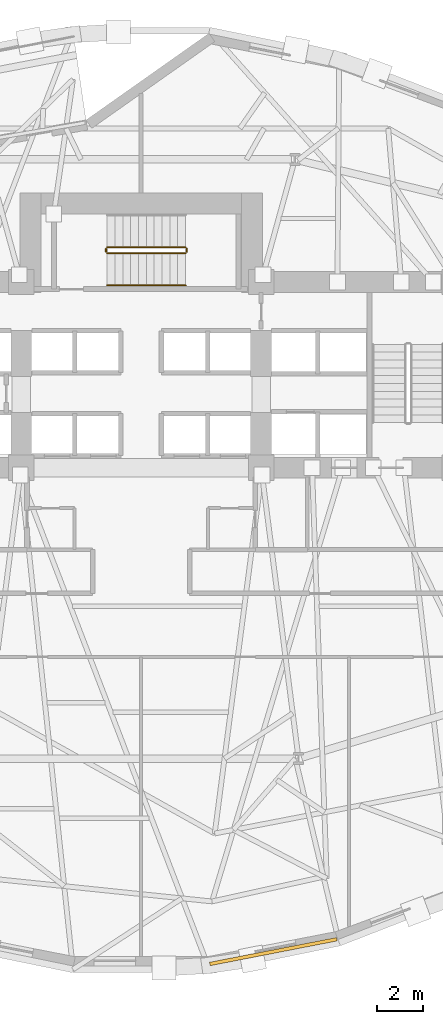
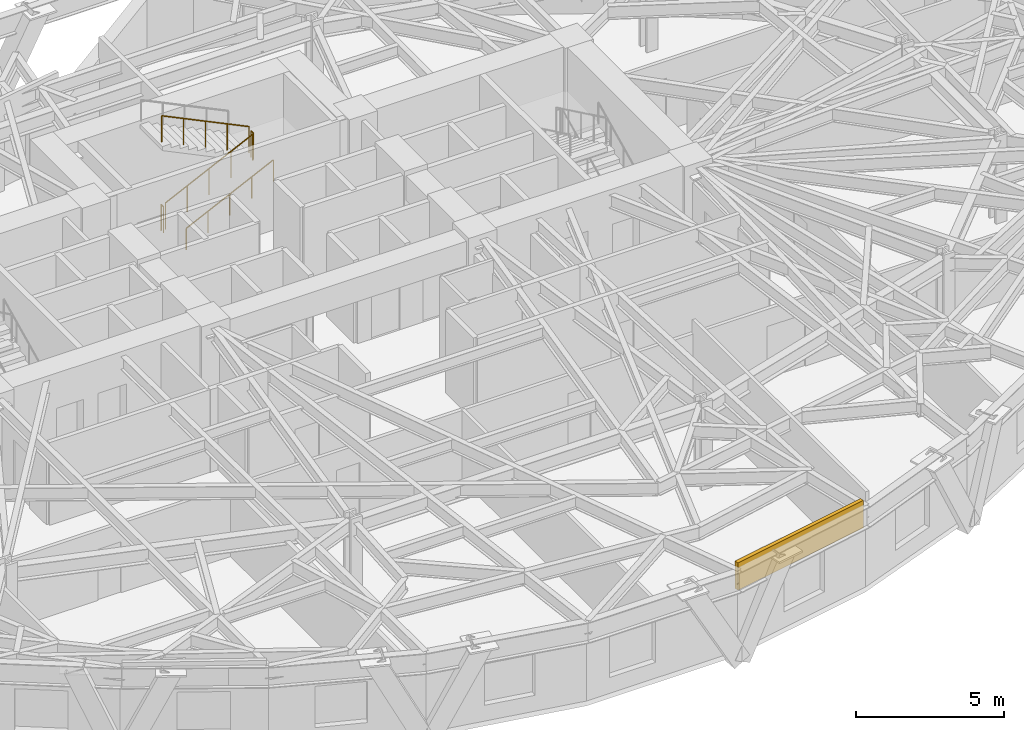
# One storey, part 15 of 17: 5 railings, 1 covering.
"""IFC4 building model written with IfcOpenShell, lengths in metres."""

from ifc_helpers import new_model, si_unit, direction, frame, origin, origin_2d, place, context, subcontext, project, spatial, rectangle, circle, extrude, material, layer, layer_set, type_object, element, save


model = new_model("IFC4")

# Units and contexts
model_context = context("Model", 3, precision=1e-05, world=origin(), true_north=direction((0.0, 1.0)))
body_context = subcontext(model_context, "Body", "Model", "MODEL_VIEW")
ifc_project = project(units=[si_unit("LENGTHUNIT", "METRE"), si_unit("AREAUNIT", "SQUARE_METRE"), si_unit("VOLUMEUNIT", "CUBIC_METRE"), si_unit("PLANEANGLEUNIT", "RADIAN"), si_unit("MASSUNIT", "GRAM", prefix="KILO")], contexts=[model_context])

# Site, building, storey
site_placement = place(None, origin())
site = spatial("IfcSite", under=ifc_project, at=site_placement, CompositionType="ELEMENT")
building_placement = place(site_placement, origin())
building = spatial("IfcBuilding", under=site, at=building_placement, Name="Keldmark Tower", CompositionType="ELEMENT")
storey_placement = place(building_placement, frame((0.0, 0.0, 70.199951171875)))
storey = spatial("IfcBuildingStorey", under=building, at=storey_placement, Name="L18", CompositionType="ELEMENT", Elevation=70.199951171875)

# Covering
ifc_material_1 = material(Name="Honed Kasota Buff Dolomitic Limestone", Category="masonry")
ifc_layer = layer(ifc_material_1, 0.074951171875)
ifc_layer_set = layer_set([ifc_layer], Name="Honed Kasota Buff Dolomitic Limestone")
covering_type = type_object("IfcCoveringType", Name="Kasota Buff Limestone Spandrel Cladding Band", PredefinedType="CLADDING", material=ifc_layer_set)
covering_placement = place(storey_placement, frame((5.728515625, -19.5751953125, 2.453125), z_axis=(0.0, 0.0, 1.0), x_axis=(0.981533819369, 0.191288686112, 0.0)))
element("IfcCovering", 1, at=covering_placement, inside=storey, type_object=covering_type, Name="L18 Kasota Limestone Spandrel Band 25", PredefinedType="CLADDING", context=body_context, shape_type="SweptSolid", body=[
    extrude(rectangle(XDim=5.607666015625, YDim=0.14990234375, at=origin_2d()), origin(), (0.0, 0.0, 1.0), 1.126953125),
])

# Railings
ifc_material_2 = material(Name="Painted Steel ASTM A500 Grade B", Category="steel")
railing_type_1 = type_object("IfcRailingType", Name="Painted Steel Stair Well Guard 1100 mm", PredefinedType="GUARDRAIL", material=ifc_material_2)
railing_1_placement = place(storey_placement, frame((-1.47509765625, 10.699951171875, 0.16357421875)))
element("IfcRailing", 2, at=railing_1_placement, inside=storey, type_object=railing_type_1, Name="L18 ST3 stair guard 1", PredefinedType="GUARDRAIL", context=body_context, shape_type="SweptSolid", body=[
    extrude(circle(Radius=0.02392578125, at=origin_2d()), frame((0.0, 0.0, 1.076171875), z_axis=(0.901067223353, 0.0, 0.433679442675), x_axis=(0.0, 1.0, 0.0)), (0.0, 0.0, 1.0), 3.7734375),
    extrude(circle(Radius=0.02099609375, at=origin_2d()), origin(), (0.0, 0.0, 1.0), 1.052001953125),
    extrude(circle(Radius=0.02099609375, at=origin_2d()), frame((0.85009765625, 0.0, 0.4091796875)), (0.0, 0.0, 1.0), 1.052001953125),
    extrude(circle(Radius=0.02099609375, at=origin_2d()), frame((1.7001953125, 0.0, 0.818359375)), (0.0, 0.0, 1.0), 1.052001953125),
    extrude(circle(Radius=0.02099609375, at=origin_2d()), frame((2.550048828125, 0.0, 1.227294921875)), (0.0, 0.0, 1.0), 1.052001953125),
    extrude(circle(Radius=0.02099609375, at=origin_2d()), frame((3.400146484375, 0.0, 1.636474609375)), (0.0, 0.0, 1.0), 1.052001953125),
])
railing_2_placement = place(storey_placement, frame((1.97509765625, 10.75, 1.800048828125)))
element("IfcRailing", 3, at=railing_2_placement, inside=storey, type_object=railing_type_1, Name="L18 ST3 stair guard 2", PredefinedType="GUARDRAIL", context=body_context, shape_type="SweptSolid", body=[
    extrude(circle(Radius=0.02392578125, at=origin_2d()), frame((0.0, 0.0, 1.076171875), z_axis=(0.0, 1.0, 0.0), x_axis=(-1.0, 0.0, 0.0)), (0.0, 0.0, 1.0), 0.14990234375),
    extrude(circle(Radius=0.02099609375, at=origin_2d()), origin(), (0.0, 0.0, 1.0), 1.052001953125),
    extrude(circle(Radius=0.02099609375, at=origin_2d()), frame((0.0, 0.14990234375, 0.0)), (0.0, 0.0, 1.0), 1.052001953125),
])
railing_3_placement = place(storey_placement, frame((1.925048828125, 10.949951171875, 1.963623046875)))
element("IfcRailing", 4, at=railing_3_placement, inside=storey, type_object=railing_type_1, Name="L18 ST3 stair guard 3", PredefinedType="GUARDRAIL", context=body_context, shape_type="SweptSolid", body=[
    extrude(circle(Radius=0.02392578125, at=origin_2d()), frame((0.0, 0.0, 1.076171875), z_axis=(-0.901067223353, 0.0, 0.433679442675), x_axis=(0.0, -1.0, 0.0)), (0.0, 0.0, 1.0), 3.7734375),
    extrude(circle(Radius=0.02099609375, at=origin_2d()), origin(), (0.0, 0.0, 1.0), 1.052001953125),
    extrude(circle(Radius=0.02099609375, at=origin_2d()), frame((-0.85009765625, 0.0, 0.4091796875)), (0.0, 0.0, 1.0), 1.052001953125),
    extrude(circle(Radius=0.02099609375, at=origin_2d()), frame((-1.7001953125, 0.0, 0.818359375)), (0.0, 0.0, 1.0), 1.052001953125),
    extrude(circle(Radius=0.02099609375, at=origin_2d()), frame((-2.550048828125, 0.0, 1.227294921875)), (0.0, 0.0, 1.0), 1.052001953125),
    extrude(circle(Radius=0.02099609375, at=origin_2d()), frame((-3.400146484375, 0.0, 1.636474609375)), (0.0, 0.0, 1.0), 1.052001953125),
])
railing_4_placement = place(storey_placement, frame((-1.52490234375, 10.75, 0.0)))
element("IfcRailing", 5, at=railing_4_placement, inside=storey, type_object=railing_type_1, Name="L18 ST3 stair guard 4", PredefinedType="GUARDRAIL", context=body_context, shape_type="SweptSolid", body=[
    extrude(circle(Radius=0.02392578125, at=origin_2d()), frame((0.0, 0.0, 1.076171875), z_axis=(0.0, 1.0, 0.0), x_axis=(-1.0, 0.0, 0.0)), (0.0, 0.0, 1.0), 0.14990234375),
    extrude(circle(Radius=0.02099609375, at=origin_2d()), origin(), (0.0, 0.0, 1.0), 1.052001953125),
    extrude(circle(Radius=0.02099609375, at=origin_2d()), frame((0.0, 0.14990234375, 0.0)), (0.0, 0.0, 1.0), 1.052001953125),
])
ifc_material_3 = material(Name="Stainless Steel AISI 316L", Category="steel")
railing_type_2 = type_object("IfcRailingType", Name="Stainless Steel Stair Handrail 900 mm", PredefinedType="HANDRAIL", material=ifc_material_3)
railing_5_placement = place(storey_placement, frame((-1.47509765625, 9.300048828125, 0.16357421875)))
element("IfcRailing", 6, at=railing_5_placement, inside=storey, type_object=railing_type_2, Name="L18 ST3 stair handrail 1", PredefinedType="HANDRAIL", context=body_context, shape_type="SweptSolid", body=[
    extrude(circle(Radius=0.02392578125, at=origin_2d()), frame((0.0, 0.0, 0.8759765625), z_axis=(0.901067223353, 0.0, 0.433679442675), x_axis=(0.0, 1.0, 0.0)), (0.0, 0.0, 1.0), 3.7734375),
    extrude(circle(Radius=0.02099609375, at=origin_2d()), origin(), (0.0, 0.0, 1.0), 0.851806640625),
    extrude(circle(Radius=0.02099609375, at=origin_2d()), frame((0.85009765625, 0.0, 0.4091796875)), (0.0, 0.0, 1.0), 0.851806640625),
    extrude(circle(Radius=0.02099609375, at=origin_2d()), frame((1.7001953125, 0.0, 0.818359375)), (0.0, 0.0, 1.0), 0.851806640625),
    extrude(circle(Radius=0.02099609375, at=origin_2d()), frame((2.550048828125, 0.0, 1.227294921875)), (0.0, 0.0, 1.0), 0.851806640625),
    extrude(circle(Radius=0.02099609375, at=origin_2d()), frame((3.400146484375, 0.0, 1.636474609375)), (0.0, 0.0, 1.0), 0.851806640625),
])

save(model, "model.ifc")
